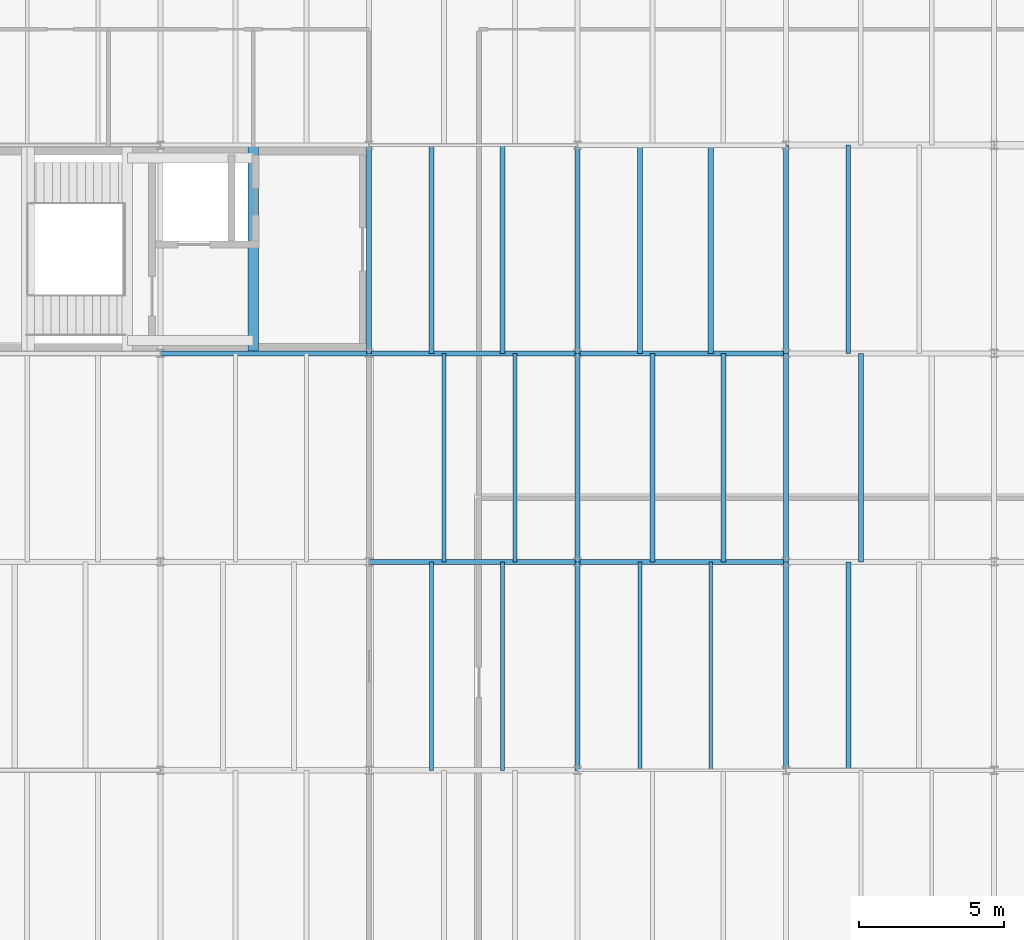
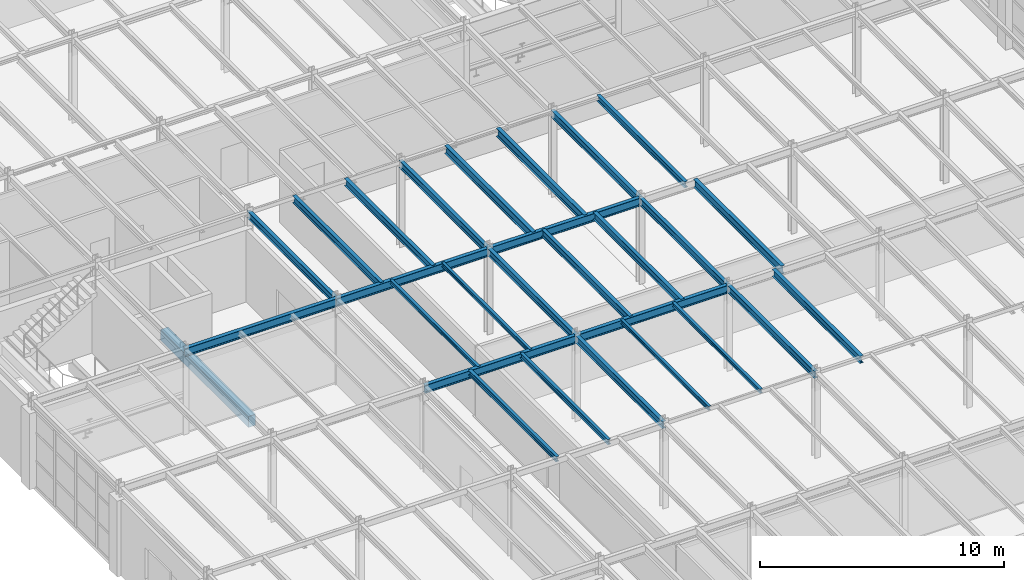
# One storey, part 39 of 101: 28 beams.
"""IFC4 building model written with IfcOpenShell, lengths in metres."""

from ifc_helpers import new_model, si_unit, direction, frame, origin, origin_2d, place, context, subcontext, project, spatial, rectangle, i_section, extrude, material, material_profile, profile_set, type_object, element, save


model = new_model("IFC4")

# Units and contexts
model_context = context("Model", 3, precision=1e-05, world=origin(), true_north=direction((0.0, 1.0)))
body_context = subcontext(model_context, "Body", "Model", "MODEL_VIEW")
ifc_project = project(units=[si_unit("LENGTHUNIT", "METRE"), si_unit("AREAUNIT", "SQUARE_METRE"), si_unit("VOLUMEUNIT", "CUBIC_METRE"), si_unit("PLANEANGLEUNIT", "RADIAN"), si_unit("MASSUNIT", "GRAM", prefix="KILO")], contexts=[model_context])

# Site, building, storey
site_placement = place(None, origin())
site = spatial("IfcSite", under=ifc_project, at=site_placement, CompositionType="ELEMENT")
building_placement = place(site_placement, origin())
building = spatial("IfcBuilding", under=site, at=building_placement, Name="Kemerveld Promenade Tramway Depot", CompositionType="ELEMENT")
storey_placement = place(building_placement, frame((0.0, 0.0, 9.89990234375)))
storey = spatial("IfcBuildingStorey", under=building, at=storey_placement, Name="L02", CompositionType="ELEMENT", Elevation=9.89990234375)

# Beams
ifc_material_1 = material(Name="Steel S355", Category="steel")
ifc_material_profile_1 = material_profile(ifc_material_1, i_section(OverallWidth=0.1787109375, OverallDepth=0.409423828125, WebThickness=0.0087890625, FlangeThickness=0.014404296875, FilletRadius=0.01025390625, at=origin_2d()), Name="406x178x67 UB")
ifc_profile_set_1 = profile_set([ifc_material_profile_1], Name="Steel S355")
beam_type_1 = type_object("IfcBeamType", Name="BM-G07", PredefinedType="BEAM", material=ifc_profile_set_1)
beam_1_placement = place(storey_placement, frame((14.39990234375, 36.0, 4.080322265625), z_axis=(1.0, 0.0, 0.0), x_axis=(0.0, 1.0, 0.0)))
element("IfcBeam", 1, at=beam_1_placement, inside=storey, type_object=beam_type_1, Name="BMX-L02-03-04-F", PredefinedType="BEAM", context=body_context, shape_type="SweptSolid", body=[
    extrude(i_section(OverallWidth=0.1787109375, OverallDepth=0.409423828125, WebThickness=0.0087890625, FlangeThickness=0.014404296875, FilletRadius=0.01025390625, at=origin_2d()), origin(), (0.0, 0.0, 1.0), 7.2001953125),
])
for number, where, z_axis, x_axis, name in (
    (2, (21.60009765625, 36.0, 4.080322265625), (1.0, 0.0, 0.0), (0.0, 1.0, 0.0), "BMX-L02-04-05-F"),
    (3, (7.199951171875, 43.199951171875, 4.075439453125), (1.0, 0.0, 0.0), (0.0, 1.0, 0.0), "BMX-L02-02-03-G"),
):
    element("IfcBeam", number, at=place(storey_placement, frame(where, z_axis=z_axis, x_axis=x_axis)), inside=storey, type_object=beam_type_1, Name=name, PredefinedType="BEAM", context=body_context, shape_type="SweptSolid", body=[
        extrude(i_section(OverallWidth=0.1787109375, OverallDepth=0.409423828125, WebThickness=0.0087890625, FlangeThickness=0.014404296875, FilletRadius=0.01025390625, at=origin_2d()), origin(), (0.0, 0.0, 1.0), 7.199951171875),
    ])
beam_2_placement = place(storey_placement, frame((14.39990234375, 43.199951171875, 4.075439453125), z_axis=(1.0, 0.0, 0.0), x_axis=(0.0, 1.0, 0.0)))
element("IfcBeam", 4, at=beam_2_placement, inside=storey, type_object=beam_type_1, Name="BMX-L02-03-04-G", PredefinedType="BEAM", context=body_context, shape_type="SweptSolid", body=[
    extrude(i_section(OverallWidth=0.1787109375, OverallDepth=0.409423828125, WebThickness=0.0087890625, FlangeThickness=0.014404296875, FilletRadius=0.01025390625, at=origin_2d()), origin(), (0.0, 0.0, 1.0), 7.2001953125),
])
beam_3_placement = place(storey_placement, frame((21.60009765625, 43.199951171875, 4.080322265625), z_axis=(1.0, 0.0, 0.0), x_axis=(0.0, 1.0, 0.0)))
element("IfcBeam", 5, at=beam_3_placement, inside=storey, type_object=beam_type_1, Name="BMX-L02-04-05-G", PredefinedType="BEAM", context=body_context, shape_type="SweptSolid", body=[
    extrude(i_section(OverallWidth=0.1787109375, OverallDepth=0.409423828125, WebThickness=0.0087890625, FlangeThickness=0.014404296875, FilletRadius=0.01025390625, at=origin_2d()), origin(), (0.0, 0.0, 1.0), 7.199951171875),
])
ifc_material_profile_2 = material_profile(ifc_material_1, i_section(OverallWidth=0.172119140625, OverallDepth=0.35791015625, WebThickness=0.008056640625, FlangeThickness=0.012939453125, FilletRadius=0.01025390625, at=origin_2d()), Name="356x171x57 UB")
ifc_profile_set_2 = profile_set([ifc_material_profile_2], Name="Steel S355")
beam_type_2 = type_object("IfcBeamType", Name="BM-G08", PredefinedType="BEAM", material=ifc_profile_set_2)
for number, where, z_axis, x_axis, name in (
    (6, (14.39990234375, 43.199951171875, 4.10107421875), (0.0, 1.0, 0.0), (-1.0, 0.0, 0.0), "BMY-L02-03-G-H"),
    (7, (21.60009765625, 28.800048828125, 4.106201171875), (0.0, 1.0, 0.0), (-1.0, 0.0, 0.0), "BMY-L02-04-E-F"),
    (8, (21.60009765625, 36.0, 4.106201171875), (0.0, 1.0, 0.0), (-1.0, 0.0, 0.0), "BMY-L02-04-F-G"),
    (9, (21.60009765625, 43.199951171875, 4.106201171875), (0.0, 1.0, 0.0), (-1.0, 0.0, 0.0), "BMY-L02-04-G-H"),
    (10, (28.800048828125, 28.800048828125, 4.106201171875), (0.0, 1.0, 0.0), (-1.0, 0.0, 0.0), "BMY-L02-05-E-F"),
    (11, (28.800048828125, 36.0, 4.106201171875), (0.0, 1.0, 0.0), (-1.0, 0.0, 0.0), "BMY-L02-05-F-G"),
    (12, (28.800048828125, 43.199951171875, 4.106201171875), (0.0, 1.0, 0.0), (-1.0, 0.0, 0.0), "BMY-L02-05-G-H"),
):
    element("IfcBeam", number, at=place(storey_placement, frame(where, z_axis=z_axis, x_axis=x_axis)), inside=storey, type_object=beam_type_2, Name=name, PredefinedType="BEAM", context=body_context, shape_type="SweptSolid", body=[
        extrude(i_section(OverallWidth=0.172119140625, OverallDepth=0.35791015625, WebThickness=0.008056640625, FlangeThickness=0.012939453125, FilletRadius=0.01025390625, at=origin_2d()), origin(), (0.0, 0.0, 1.0), 7.199951171875),
    ])
ifc_material_profile_3 = material_profile(ifc_material_1, i_section(OverallWidth=0.165771484375, OverallDepth=0.306640625, WebThickness=0.006591796875, FlangeThickness=0.01171875, FilletRadius=0.0087890625, at=origin_2d()), Name="305x165x46 UB")
ifc_profile_set_3 = profile_set([ifc_material_profile_3], Name="Steel S355")
beam_type_3 = type_object("IfcBeamType", Name="BM-J01", PredefinedType="JOIST", material=ifc_profile_set_3)
beam_4_placement = place(storey_placement, frame((30.9599609375, 43.199951171875, 4.1318359375), z_axis=(0.0, 1.0, 0.0), x_axis=(-1.0, 0.0, 0.0)))
element("IfcBeam", 13, at=beam_4_placement, inside=storey, type_object=beam_type_3, Name="JST-L02-05-G-1", PredefinedType="JOIST", context=body_context, shape_type="SweptSolid", body=[
    extrude(i_section(OverallWidth=0.165771484375, OverallDepth=0.306640625, WebThickness=0.006591796875, FlangeThickness=0.01171875, FilletRadius=0.0087890625, at=origin_2d()), origin(), (0.0, 0.0, 1.0), 7.199951171875),
])
ifc_material_profile_4 = material_profile(ifc_material_1, i_section(OverallWidth=0.146484375, OverallDepth=0.256103515625, WebThickness=0.00634765625, FlangeThickness=0.010986328125, FilletRadius=0.007568359375, at=origin_2d()), Name="254x146x37 UB")
ifc_profile_set_4 = profile_set([ifc_material_profile_4], Name="Steel S355")
beam_type_4 = type_object("IfcBeamType", Name="BM-J02", PredefinedType="JOIST", material=ifc_profile_set_4)
for number, where, z_axis, x_axis, name in (
    (14, (16.56005859375, 28.800048828125, 4.156982421875), (0.0, 1.0, 0.0), (-1.0, 0.0, 0.0), "JST-L02-03-E-1"),
    (15, (19.008056640625, 28.800048828125, 4.156982421875), (0.0, 1.0, 0.0), (-1.0, 0.0, 0.0), "JST-L02-03-E-2"),
):
    element("IfcBeam", number, at=place(storey_placement, frame(where, z_axis=z_axis, x_axis=x_axis)), inside=storey, type_object=beam_type_4, Name=name, PredefinedType="JOIST", context=body_context, shape_type="SweptSolid", body=[
        extrude(i_section(OverallWidth=0.146484375, OverallDepth=0.256103515625, WebThickness=0.00634765625, FlangeThickness=0.010986328125, FilletRadius=0.007568359375, at=origin_2d()), origin(), (0.0, 0.0, 1.0), 7.199951171875),
    ])
ifc_material_profile_5 = material_profile(ifc_material_1, i_section(OverallWidth=0.13330078125, OverallDepth=0.203125, WebThickness=0.005615234375, FlangeThickness=0.0078125, FilletRadius=0.007568359375, at=origin_2d()), Name="203x133x25 UB")
ifc_profile_set_5 = profile_set([ifc_material_profile_5], Name="Steel S355")
beam_type_5 = type_object("IfcBeamType", Name="BM-J03", PredefinedType="JOIST", material=ifc_profile_set_5)
for number, where, z_axis, x_axis, name in (
    (16, (16.991943359375, 36.0, 4.18359375), (0.0, 1.0, 0.0), (-1.0, 0.0, 0.0), "JST-L02-03-F-1"),
    (17, (19.43994140625, 36.0, 4.18359375), (0.0, 1.0, 0.0), (-1.0, 0.0, 0.0), "JST-L02-03-F-2"),
    (18, (23.760009765625, 28.800048828125, 4.18359375), (0.0, 1.0, 0.0), (-1.0, 0.0, 0.0), "JST-L02-04-E-1"),
    (19, (26.2080078125, 28.800048828125, 4.18359375), (0.0, 1.0, 0.0), (-1.0, 0.0, 0.0), "JST-L02-04-E-2"),
):
    element("IfcBeam", number, at=place(storey_placement, frame(where, z_axis=z_axis, x_axis=x_axis)), inside=storey, type_object=beam_type_5, Name=name, PredefinedType="JOIST", context=body_context, shape_type="SweptSolid", body=[
        extrude(i_section(OverallWidth=0.13330078125, OverallDepth=0.203125, WebThickness=0.005615234375, FlangeThickness=0.0078125, FilletRadius=0.007568359375, at=origin_2d()), origin(), (0.0, 0.0, 1.0), 7.199951171875),
    ])
ifc_material_profile_6 = material_profile(ifc_material_1, i_section(OverallWidth=0.172119140625, OverallDepth=0.35791015625, WebThickness=0.008056640625, FlangeThickness=0.012939453125, FilletRadius=0.01025390625, at=origin_2d()), Name="356x171x57 UB")
ifc_profile_set_6 = profile_set([ifc_material_profile_6], Name="Steel S355")
beam_type_6 = type_object("IfcBeamType", Name="BM-J04", PredefinedType="JOIST", material=ifc_profile_set_6)
for number, where, z_axis, x_axis, name in (
    (20, (16.56005859375, 43.199951171875, 4.106201171875), (0.0, 1.0, 0.0), (-1.0, 0.0, 0.0), "JST-L02-03-G-1"),
    (21, (19.008056640625, 43.199951171875, 4.106201171875), (0.0, 1.0, 0.0), (-1.0, 0.0, 0.0), "JST-L02-03-G-2"),
    (22, (24.19189453125, 36.0, 4.106201171875), (0.0, 1.0, 0.0), (-1.0, 0.0, 0.0), "JST-L02-04-F-1"),
    (23, (26.639892578125, 36.0, 4.106201171875), (0.0, 1.0, 0.0), (-1.0, 0.0, 0.0), "JST-L02-04-F-2"),
    (24, (30.9599609375, 28.800048828125, 4.106201171875), (0.0, 1.0, 0.0), (-1.0, 0.0, 0.0), "JST-L02-05-E-1"),
):
    element("IfcBeam", number, at=place(storey_placement, frame(where, z_axis=z_axis, x_axis=x_axis)), inside=storey, type_object=beam_type_6, Name=name, PredefinedType="JOIST", context=body_context, shape_type="SweptSolid", body=[
        extrude(i_section(OverallWidth=0.172119140625, OverallDepth=0.35791015625, WebThickness=0.008056640625, FlangeThickness=0.012939453125, FilletRadius=0.01025390625, at=origin_2d()), origin(), (0.0, 0.0, 1.0), 7.199951171875),
    ])
ifc_material_profile_7 = material_profile(ifc_material_1, i_section(OverallWidth=0.1787109375, OverallDepth=0.409423828125, WebThickness=0.0087890625, FlangeThickness=0.014404296875, FilletRadius=0.01025390625, at=origin_2d()), Name="406x178x67 UB")
ifc_profile_set_7 = profile_set([ifc_material_profile_7], Name="Steel S355")
beam_type_7 = type_object("IfcBeamType", Name="BM-J05", PredefinedType="JOIST", material=ifc_profile_set_7)
for number, where, z_axis, x_axis, name in (
    (25, (23.760009765625, 43.199951171875, 4.080322265625), (0.0, 1.0, 0.0), (-1.0, 0.0, 0.0), "JST-L02-04-G-1"),
    (26, (26.2080078125, 43.199951171875, 4.080322265625), (0.0, 1.0, 0.0), (-1.0, 0.0, 0.0), "JST-L02-04-G-2"),
    (27, (31.39208984375, 36.0, 4.080322265625), (0.0, 1.0, 0.0), (-1.0, 0.0, 0.0), "JST-L02-05-F-1"),
):
    element("IfcBeam", number, at=place(storey_placement, frame(where, z_axis=z_axis, x_axis=x_axis)), inside=storey, type_object=beam_type_7, Name=name, PredefinedType="JOIST", context=body_context, shape_type="SweptSolid", body=[
        extrude(i_section(OverallWidth=0.1787109375, OverallDepth=0.409423828125, WebThickness=0.0087890625, FlangeThickness=0.014404296875, FilletRadius=0.01025390625, at=origin_2d()), origin(), (0.0, 0.0, 1.0), 7.199951171875),
    ])
ifc_material_2 = material(Name="Concrete C40/50", Category="concrete")
ifc_material_profile_8 = material_profile(ifc_material_2, rectangle(XDim=0.35009765625, YDim=0.550048828125, at=origin_2d()), Name="RC-BM-350x550")
ifc_profile_set_8 = profile_set([ifc_material_profile_8], Name="Concrete C40/50")
beam_type_8 = type_object("IfcBeamType", Name="BM-RC3", PredefinedType="BEAM", material=ifc_profile_set_8)
beam_5_placement = place(storey_placement, frame((10.39990234375, 43.199951171875, -0.5048828125), z_axis=(0.0, 1.0, 0.0), x_axis=(-1.0, 0.0, 0.0)))
element("IfcBeam", 28, at=beam_5_placement, inside=storey, type_object=beam_type_8, Name="BM-CORE-C2-L02-E", PredefinedType="BEAM", context=body_context, shape_type="SweptSolid", body=[
    extrude(rectangle(XDim=0.35009765625, YDim=0.550048828125, at=origin_2d()), origin(), (0.0, 0.0, 1.0), 7.199951171875),
])

save(model, "model.ifc")
